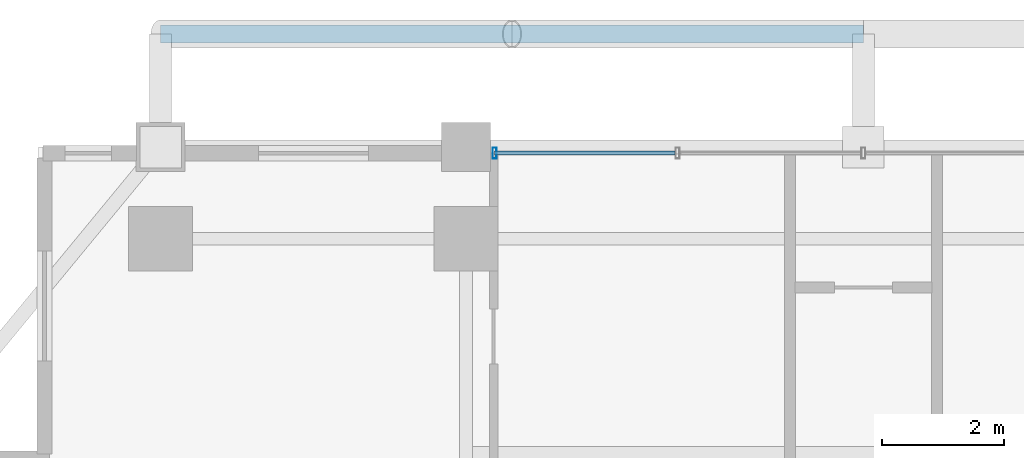
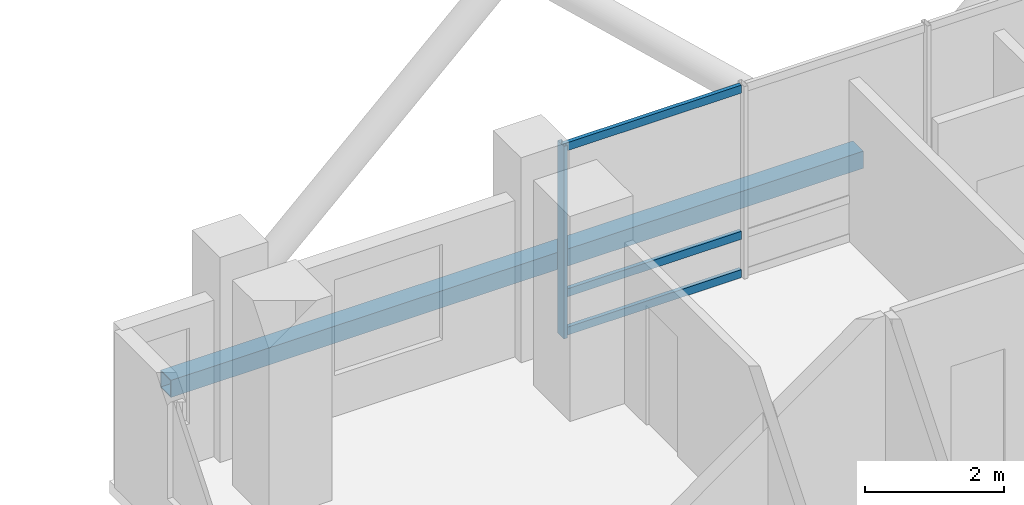
# One storey, part 15 of 26: 5 members, 1 element without a shape of its own.
"""IFC4 building model written with IfcOpenShell, lengths in metres."""

from ifc_helpers import new_model, si_unit, direction, frame, origin, origin_2d, place, context, subcontext, project, spatial, hollow_rectangle, extrude, material, layer, layer_set, material_profile, profile_set, type_object, element, aggregate, save


model = new_model("IFC4")

# Units and contexts
model_context = context("Model", 3, precision=1e-05, world=origin(), true_north=direction((0.0, 1.0)))
body_context = subcontext(model_context, "Body", "Model", "MODEL_VIEW")
ifc_project = project(units=[si_unit("LENGTHUNIT", "METRE"), si_unit("AREAUNIT", "SQUARE_METRE"), si_unit("VOLUMEUNIT", "CUBIC_METRE"), si_unit("PLANEANGLEUNIT", "RADIAN"), si_unit("MASSUNIT", "GRAM", prefix="KILO")], contexts=[model_context])

# Site, building, storey
site_placement = place(None, origin())
site = spatial("IfcSite", under=ifc_project, at=site_placement, CompositionType="ELEMENT")
building_placement = place(site_placement, origin())
building = spatial("IfcBuilding", under=site, at=building_placement, Name="Barlavira Tower and Art Museum", CompositionType="ELEMENT")
storey_placement = place(building_placement, frame((0.0, 0.0, 187.199951171875)))
storey = spatial("IfcBuildingStorey", under=building, at=storey_placement, Name="L48", CompositionType="ELEMENT", Elevation=187.199951171875)

# Curtain wall, members
ifc_material_1 = material(Name="Low-iron coastal laminated glass", Category="glass")
ifc_layer = layer(ifc_material_1, 0.199951171875, Name="Low-iron coastal laminated glass")
ifc_layer_set = layer_set([ifc_layer], Name="Low-iron coastal laminated glass")
curtain_wall_type = type_object("IfcCurtainWallType", Name="Pale-Metal Unitised Curtain Wall Zone 3", PredefinedType="NOTDEFINED", material=ifc_layer_set)
curtain_wall_placement = place(storey_placement, origin())
curtain_wall = element("IfcCurtainWall", 1, at=curtain_wall_placement, inside=storey, type_object=curtain_wall_type, Name="L48 Curtain Wall CW3-L48-N-B3", PredefinedType="NOTDEFINED")
ifc_material_2 = material(Name="Pale anodised aluminium", Category="aluminium")
ifc_material_profile_1 = material_profile(ifc_material_2, hollow_rectangle(XDim=0.06494140625, YDim=0.179931640625, WallThickness=0.00390625, at=origin_2d()), Name="ALU-MULL 65x180x4")
ifc_profile_set_1 = profile_set([ifc_material_profile_1], Name="Pale anodised aluminium")
member_type_1 = type_object("IfcMemberType", Name="Curtain Wall Pale-Metal Mullion 65x180", PredefinedType="MULLION", material=ifc_profile_set_1)
member_1_placement = place(storey_placement, frame((-6.034912109375, 21.39990234375, 0.0), z_axis=(0.0, 0.0, 1.0), x_axis=(-1.0, 0.0, 0.0)))
member_1 = element("IfcMember", 2, at=member_1_placement, type_object=member_type_1, Name="CW3-L48-N-B3 Mullion 4", PredefinedType="MULLION", context=body_context, shape_type="SweptSolid", body=[
    extrude(hollow_rectangle(XDim=0.06494140625, YDim=0.179931640625, WallThickness=0.00390625, at=origin_2d()), origin(), (0.0, 0.0, 1.0), 3.380126953125),
])
ifc_material_profile_2 = material_profile(ifc_material_2, hollow_rectangle(XDim=0.06494140625, YDim=0.139892578125, WallThickness=0.00390625, at=origin_2d()), Name="ALU-TRAN 65x140x4")
ifc_profile_set_2 = profile_set([ifc_material_profile_2], Name="Pale anodised aluminium")
member_type_2 = type_object("IfcMemberType", Name="Curtain Wall Pale-Metal Transom 65x140", PredefinedType="USERDEFINED", material=ifc_profile_set_2)
member_2_placement = place(storey_placement, frame((-3.0849609375, 21.39990234375, 0.070068359375), z_axis=(-1.0, 0.0, 0.0), x_axis=(0.0, -1.0, 0.0)))
member_2 = element("IfcMember", 3, at=member_2_placement, type_object=member_type_2, Name="CW3-L48-N-B3 Transom 3.1", ObjectType="TRANSOM", PredefinedType="USERDEFINED", context=body_context, shape_type="SweptSolid", body=[
    extrude(hollow_rectangle(XDim=0.06494140625, YDim=0.139892578125, WallThickness=0.00390625, at=origin_2d()), origin(), (0.0, 0.0, 1.0), 2.949951171875),
])
member_3_placement = place(storey_placement, frame((-3.0849609375, 21.39990234375, 0.744140625), z_axis=(-1.0, 0.0, 0.0), x_axis=(0.0, -1.0, 0.0)))
member_3 = element("IfcMember", 4, at=member_3_placement, type_object=member_type_2, Name="CW3-L48-N-B3 Transom 3.2", ObjectType="TRANSOM", PredefinedType="USERDEFINED", context=body_context, shape_type="SweptSolid", body=[
    extrude(hollow_rectangle(XDim=0.06494140625, YDim=0.139892578125, WallThickness=0.00390625, at=origin_2d()), origin(), (0.0, 0.0, 1.0), 2.949951171875),
])
member_4_placement = place(storey_placement, frame((-3.0849609375, 21.39990234375, 3.31005859375), z_axis=(-1.0, 0.0, 0.0), x_axis=(0.0, -1.0, 0.0)))
member_4 = element("IfcMember", 5, at=member_4_placement, type_object=member_type_2, Name="CW3-L48-N-B3 Transom 3.3", ObjectType="TRANSOM", PredefinedType="USERDEFINED", context=body_context, shape_type="SweptSolid", body=[
    extrude(hollow_rectangle(XDim=0.06494140625, YDim=0.139892578125, WallThickness=0.00390625, at=origin_2d()), origin(), (0.0, 0.0, 1.0), 2.949951171875),
])
aggregate(curtain_wall, [member_1, member_2, member_3, member_4])

# Member
ifc_material_3 = material(Name="Steel S355", Category="steel")
ifc_material_profile_3 = material_profile(ifc_material_3, hollow_rectangle(XDim=0.300048828125, YDim=0.300048828125, WallThickness=0.01611328125, at=origin_2d()), Name="SHS 300x300x16.0")
ifc_profile_set_3 = profile_set([ifc_material_profile_3], Name="Steel S355")
member_type_3 = type_object("IfcMemberType", Name="Pale-Metal Upper Ring Strut SHS 300x300x16 Steel S355", PredefinedType="STRUT", material=ifc_profile_set_3)
member_5_placement = place(storey_placement, frame((-11.5, 23.35009765625, -0.119873046875), z_axis=(1.0, 0.0, 0.0), x_axis=(0.0, 1.0, 0.0)))
element("IfcMember", 6, at=member_5_placement, inside=storey, type_object=member_type_3, Name="L48 Exoskeleton Ring Strut N", PredefinedType="STRUT", context=body_context, shape_type="SweptSolid", body=[
    extrude(hollow_rectangle(XDim=0.300048828125, YDim=0.300048828125, WallThickness=0.01611328125, at=origin_2d()), origin(), (0.0, 0.0, 1.0), 11.5),
])

save(model, "model.ifc")
